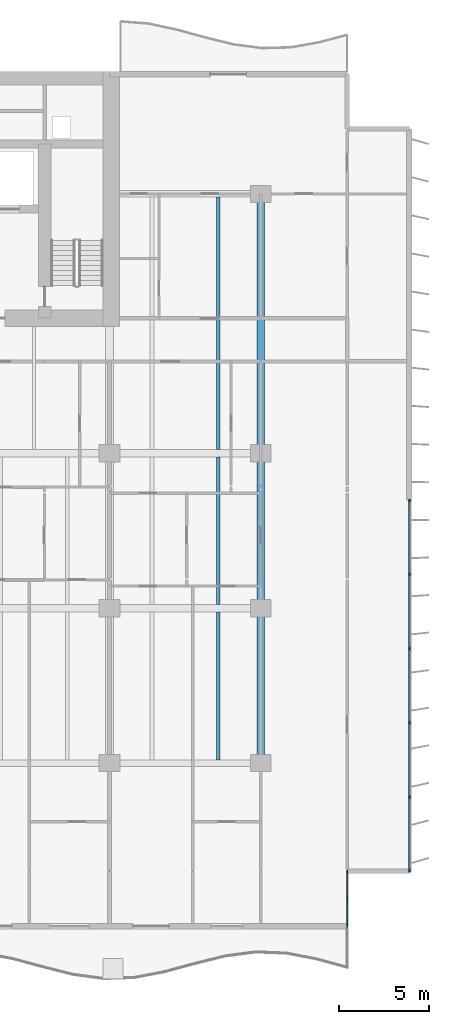
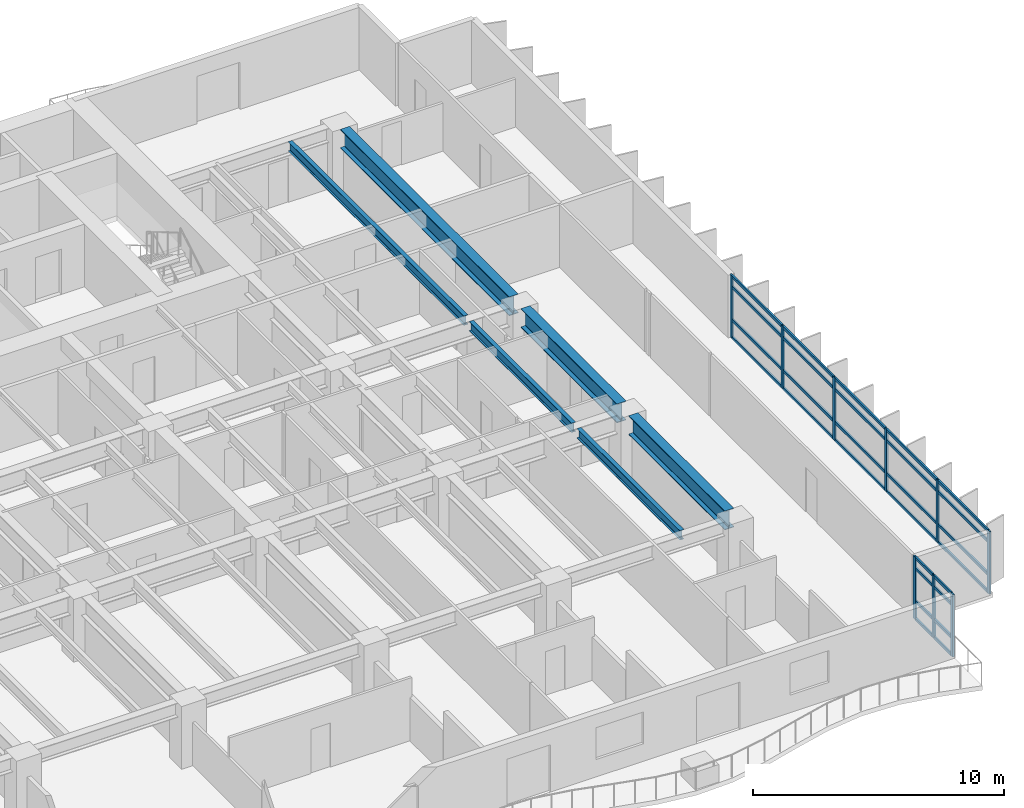
# One storey, part 4 of 17: 37 members, 6 beams, 2 elements without a shape of their own.
"""IFC4 building model written with IfcOpenShell, lengths in metres."""

from ifc_helpers import new_model, si_unit, direction, frame, origin, origin_2d, place, context, subcontext, project, spatial, rectangle, i_section, extrude, material, layer, layer_set, material_profile, profile_set, type_object, element, aggregate, save


model = new_model("IFC4")

# Units and contexts
model_context = context("Model", 3, precision=1e-05, world=origin(), true_north=direction((0.0, 1.0)))
body_context = subcontext(model_context, "Body", "Model", "MODEL_VIEW")
ifc_project = project(units=[si_unit("LENGTHUNIT", "METRE"), si_unit("AREAUNIT", "SQUARE_METRE"), si_unit("VOLUMEUNIT", "CUBIC_METRE"), si_unit("PLANEANGLEUNIT", "RADIAN"), si_unit("MASSUNIT", "GRAM", prefix="KILO")], contexts=[model_context])

# Site, building, storey
site_placement = place(None, origin())
site = spatial("IfcSite", under=ifc_project, at=site_placement, CompositionType="ELEMENT")
building_placement = place(site_placement, origin())
building = spatial("IfcBuilding", under=site, at=building_placement, Name="Caelmar Bay Residences", CompositionType="ELEMENT")
storey_placement = place(building_placement, frame((0.0, 0.0, 30.0)))
storey = spatial("IfcBuildingStorey", under=building, at=storey_placement, Name="L06", CompositionType="ELEMENT", Elevation=30.0)

# Beams
ifc_material_1 = material(Name="Steel ASTM A992 Grade 50", Category="steel")
ifc_material_profile_1 = material_profile(ifc_material_1, i_section(OverallWidth=0.422119140625, OverallDepth=0.925048828125, WebThickness=0.021240234375, FlangeThickness=0.03662109375, FilletRadius=0.020263671875, at=origin_2d()), Name="W36X262")
ifc_profile_set_1 = profile_set([ifc_material_profile_1], Name="Steel ASTM A992 Grade 50")
beam_type_1 = type_object("IfcBeamType", Name="BM-GRD-W36X262", PredefinedType="BEAM", material=ifc_profile_set_1)
beam_1_placement = place(storey_placement, frame((67.89990234375, 12.6650390625, 2.58740234375), z_axis=(0.0, 1.0, 0.0), x_axis=(-1.0, 0.0, 0.0)))
element("IfcBeam", 1, at=beam_1_placement, inside=storey, type_object=beam_type_1, Name="L06 North-South Girder X=67.90 (12.2-20.8)", PredefinedType="BEAM", context=body_context, shape_type="SweptSolid", body=[
    extrude(i_section(OverallWidth=0.422119140625, OverallDepth=0.925048828125, WebThickness=0.021240234375, FlangeThickness=0.03662109375, FilletRadius=0.020263671875, at=origin_2d()), origin(), (0.0, 0.0, 1.0), 7.669921875),
])
beam_2_placement = place(storey_placement, frame((67.89990234375, 21.264892578125, 2.58740234375), z_axis=(0.0, 1.0, 0.0), x_axis=(-1.0, 0.0, 0.0)))
element("IfcBeam", 2, at=beam_2_placement, inside=storey, type_object=beam_type_1, Name="L06 North-South Girder X=67.90 (20.8-29.4)", PredefinedType="BEAM", context=body_context, shape_type="SweptSolid", body=[
    extrude(i_section(OverallWidth=0.422119140625, OverallDepth=0.925048828125, WebThickness=0.021240234375, FlangeThickness=0.03662109375, FilletRadius=0.020263671875, at=origin_2d()), origin(), (0.0, 0.0, 1.0), 7.670166015625),
])
beam_3_placement = place(storey_placement, frame((67.89990234375, 29.864990234375, 2.58740234375), z_axis=(0.0, 1.0, 0.0), x_axis=(-1.0, 0.0, 0.0)))
element("IfcBeam", 3, at=beam_3_placement, inside=storey, type_object=beam_type_1, Name="L06 North-South Girder X=67.90 (29.4-43.8)", PredefinedType="BEAM", context=body_context, shape_type="SweptSolid", body=[
    extrude(i_section(OverallWidth=0.422119140625, OverallDepth=0.925048828125, WebThickness=0.021240234375, FlangeThickness=0.03662109375, FilletRadius=0.020263671875, at=origin_2d()), origin(), (0.0, 0.0, 1.0), 13.469970703125),
])
ifc_material_profile_2 = material_profile(ifc_material_1, i_section(OverallWidth=0.19091796875, OverallDepth=0.45703125, WebThickness=0.009033203125, FlangeThickness=0.014404296875, FilletRadius=0.01025390625, at=origin_2d()), Name="W18X50")
ifc_profile_set_2 = profile_set([ifc_material_profile_2], Name="Steel ASTM A992 Grade 50")
beam_type_2 = type_object("IfcBeamType", Name="BM-JST-W18X50", PredefinedType="JOIST", material=ifc_profile_set_2)
beam_4_placement = place(storey_placement, frame((65.548095703125, 12.3779296875, 2.821533203125), z_axis=(0.0, 1.0, 0.0), x_axis=(-1.0, 0.0, 0.0)))
element("IfcBeam", 4, at=beam_4_placement, inside=storey, type_object=beam_type_2, Name="L06 Composite Floor Joist 14", PredefinedType="JOIST", context=body_context, shape_type="SweptSolid", body=[
    extrude(i_section(OverallWidth=0.19091796875, OverallDepth=0.45703125, WebThickness=0.009033203125, FlangeThickness=0.014404296875, FilletRadius=0.01025390625, at=origin_2d()), origin(), (0.0, 0.0, 1.0), 8.211181640625),
])
beam_5_placement = place(storey_placement, frame((65.548095703125, 21.010986328125, 2.821533203125), z_axis=(0.0, 1.0, 0.0), x_axis=(-1.0, 0.0, 0.0)))
element("IfcBeam", 5, at=beam_5_placement, inside=storey, type_object=beam_type_2, Name="L06 Composite Floor Joist 28", PredefinedType="JOIST", context=body_context, shape_type="SweptSolid", body=[
    extrude(i_section(OverallWidth=0.19091796875, OverallDepth=0.45703125, WebThickness=0.009033203125, FlangeThickness=0.014404296875, FilletRadius=0.01025390625, at=origin_2d()), origin(), (0.0, 0.0, 1.0), 8.177978515625),
])
beam_6_placement = place(storey_placement, frame((65.548095703125, 29.611083984375, 2.821533203125), z_axis=(0.0, 1.0, 0.0), x_axis=(-1.0, 0.0, 0.0)))
element("IfcBeam", 6, at=beam_6_placement, inside=storey, type_object=beam_type_2, Name="L06 Composite Floor Joist 37", PredefinedType="JOIST", context=body_context, shape_type="SweptSolid", body=[
    extrude(i_section(OverallWidth=0.19091796875, OverallDepth=0.45703125, WebThickness=0.009033203125, FlangeThickness=0.014404296875, FilletRadius=0.01025390625, at=origin_2d()), origin(), (0.0, 0.0, 1.0), 14.010986328125),
])

# Curtain wall, members
ifc_material_2 = material(Name="Anodised bronze aluminium 6063-T6 and laminated glass", Category="aluminium")
ifc_layer_1 = layer(ifc_material_2, 0.179931640625)
ifc_layer_set_1 = layer_set([ifc_layer_1], Name="Anodised bronze aluminium 6063-T6 and laminated glass")
curtain_wall_type_1 = type_object("IfcCurtainWallType", Name="CW6-NTC", PredefinedType="NOTDEFINED", material=ifc_layer_set_1)
curtain_wall_1_placement = place(storey_placement, origin())
curtain_wall_1 = element("IfcCurtainWall", 7, at=curtain_wall_1_placement, inside=storey, type_object=curtain_wall_type_1, Name="CW6 curtain wall L06", PredefinedType="NOTDEFINED")
ifc_material_3 = material(Name="Anodised bronze aluminium 6063-T6", Category="aluminium")
ifc_material_profile_3 = material_profile(ifc_material_3, rectangle(XDim=0.080078125, YDim=0.179931640625, at=origin_2d()), Name="CWM-80X180")
ifc_profile_set_3 = profile_set([ifc_material_profile_3], Name="Anodised bronze aluminium 6063-T6")
member_type_1 = type_object("IfcMemberType", Name="CWM-180", PredefinedType="MULLION", material=ifc_profile_set_3)
member_1_placement = place(storey_placement, frame((72.699951171875, 3.18994140625, 0.0), z_axis=(0.0, 0.0, 1.0), x_axis=(-1.0, 0.0, 0.0)))
member_1 = element("IfcMember", 8, at=member_1_placement, type_object=member_type_1, Name="CW6 mullion 1", PredefinedType="MULLION", context=body_context, shape_type="SweptSolid", body=[
    extrude(rectangle(XDim=0.080078125, YDim=0.179931640625, at=origin_2d()), origin(), (0.0, 0.0, 1.0), 3.050048828125),
])
member_2_placement = place(storey_placement, frame((72.699951171875, 4.675048828125, 0.0), z_axis=(0.0, 0.0, 1.0), x_axis=(-1.0, 0.0, 0.0)))
member_2 = element("IfcMember", 9, at=member_2_placement, type_object=member_type_1, Name="CW6 mullion 2", PredefinedType="MULLION", context=body_context, shape_type="SweptSolid", body=[
    extrude(rectangle(XDim=0.080078125, YDim=0.179931640625, at=origin_2d()), origin(), (0.0, 0.0, 1.0), 3.050048828125),
])
member_3_placement = place(storey_placement, frame((72.699951171875, 6.159912109375, 0.0), z_axis=(0.0, 0.0, 1.0), x_axis=(-1.0, 0.0, 0.0)))
member_3 = element("IfcMember", 10, at=member_3_placement, type_object=member_type_1, Name="CW6 mullion 3", PredefinedType="MULLION", context=body_context, shape_type="SweptSolid", body=[
    extrude(rectangle(XDim=0.080078125, YDim=0.179931640625, at=origin_2d()), origin(), (0.0, 0.0, 1.0), 3.050048828125),
])

ifc_layer_2 = layer(ifc_material_2, 0.179931640625)
ifc_layer_set_2 = layer_set([ifc_layer_2], Name="Anodised bronze aluminium 6063-T6 and laminated glass")
curtain_wall_type_2 = type_object("IfcCurtainWallType", Name="CW2-Z1", PredefinedType="NOTDEFINED", material=ifc_layer_set_2)
curtain_wall_2_placement = place(storey_placement, origin())
curtain_wall_2 = element("IfcCurtainWall", 11, at=curtain_wall_2_placement, inside=storey, type_object=curtain_wall_type_2, Name="CW2 curtain wall L06", PredefinedType="NOTDEFINED")
member_4_placement = place(storey_placement, frame((76.14990234375, 26.760009765625, 0.0), z_axis=(0.0, 0.0, 1.0), x_axis=(1.0, 0.0, 0.0)))
member_4 = element("IfcMember", 12, at=member_4_placement, type_object=member_type_1, Name="CW2 mullion 1", PredefinedType="MULLION", context=body_context, shape_type="SweptSolid", body=[
    extrude(rectangle(XDim=0.080078125, YDim=0.179931640625, at=origin_2d()), origin(), (0.0, 0.0, 1.0), 3.050048828125),
])
member_5_placement = place(storey_placement, frame((76.14990234375, 22.679931640625, 0.0), z_axis=(0.0, 0.0, 1.0), x_axis=(1.0, 0.0, 0.0)))
member_5 = element("IfcMember", 13, at=member_5_placement, type_object=member_type_1, Name="CW2 mullion 2", PredefinedType="MULLION", context=body_context, shape_type="SweptSolid", body=[
    extrude(rectangle(XDim=0.080078125, YDim=0.179931640625, at=origin_2d()), origin(), (0.0, 0.0, 1.0), 3.050048828125),
])
member_6_placement = place(storey_placement, frame((76.14990234375, 18.56005859375, 0.0), z_axis=(0.0, 0.0, 1.0), x_axis=(1.0, 0.0, 0.0)))
member_6 = element("IfcMember", 14, at=member_6_placement, type_object=member_type_1, Name="CW2 mullion 3", PredefinedType="MULLION", context=body_context, shape_type="SweptSolid", body=[
    extrude(rectangle(XDim=0.080078125, YDim=0.179931640625, at=origin_2d()), origin(), (0.0, 0.0, 1.0), 3.050048828125),
])
member_7_placement = place(storey_placement, frame((76.14990234375, 14.43994140625, 0.0), z_axis=(0.0, 0.0, 1.0), x_axis=(1.0, 0.0, 0.0)))
member_7 = element("IfcMember", 15, at=member_7_placement, type_object=member_type_1, Name="CW2 mullion 4", PredefinedType="MULLION", context=body_context, shape_type="SweptSolid", body=[
    extrude(rectangle(XDim=0.080078125, YDim=0.179931640625, at=origin_2d()), origin(), (0.0, 0.0, 1.0), 3.050048828125),
])
member_8_placement = place(storey_placement, frame((76.14990234375, 10.320068359375, 0.0), z_axis=(0.0, 0.0, 1.0), x_axis=(1.0, 0.0, 0.0)))
member_8 = element("IfcMember", 16, at=member_8_placement, type_object=member_type_1, Name="CW2 mullion 5", PredefinedType="MULLION", context=body_context, shape_type="SweptSolid", body=[
    extrude(rectangle(XDim=0.080078125, YDim=0.179931640625, at=origin_2d()), origin(), (0.0, 0.0, 1.0), 3.050048828125),
])
member_9_placement = place(storey_placement, frame((76.14990234375, 6.239990234375, 0.0), z_axis=(0.0, 0.0, 1.0), x_axis=(1.0, 0.0, 0.0)))
member_9 = element("IfcMember", 17, at=member_9_placement, type_object=member_type_1, Name="CW2 mullion 6", PredefinedType="MULLION", context=body_context, shape_type="SweptSolid", body=[
    extrude(rectangle(XDim=0.080078125, YDim=0.179931640625, at=origin_2d()), origin(), (0.0, 0.0, 1.0), 3.050048828125),
])

# Member
ifc_material_profile_4 = material_profile(ifc_material_3, rectangle(XDim=0.080078125, YDim=0.139892578125, at=origin_2d()), Name="CWT-80X140")
ifc_profile_set_4 = profile_set([ifc_material_profile_4], Name="Anodised bronze aluminium 6063-T6")
member_type_2 = type_object("IfcMemberType", Name="CWT-140", PredefinedType="NOTDEFINED", material=ifc_profile_set_4)
member_10_placement = place(storey_placement, frame((72.699951171875, 3.22998046875, 0.0400390625), z_axis=(0.0, 1.0, 0.0), x_axis=(-1.0, 0.0, 0.0)))
member_10 = element("IfcMember", 18, at=member_10_placement, type_object=member_type_2, Name="CW6 transom 1.1", ObjectType="TRANSOM", PredefinedType="USERDEFINED", context=body_context, shape_type="SweptSolid", body=[
    extrude(rectangle(XDim=0.080078125, YDim=0.139892578125, at=origin_2d()), origin(), (0.0, 0.0, 1.0), 1.405029296875),
])

member_11_placement = place(storey_placement, frame((72.699951171875, 3.22998046875, 0.89990234375), z_axis=(0.0, 1.0, 0.0), x_axis=(-1.0, 0.0, 0.0)))
member_11 = element("IfcMember", 19, at=member_11_placement, type_object=member_type_2, Name="CW6 transom 1.2", ObjectType="TRANSOM", PredefinedType="USERDEFINED", context=body_context, shape_type="SweptSolid", body=[
    extrude(rectangle(XDim=0.080078125, YDim=0.139892578125, at=origin_2d()), origin(), (0.0, 0.0, 1.0), 1.405029296875),
])

member_12_placement = place(storey_placement, frame((72.699951171875, 3.22998046875, 2.5), z_axis=(0.0, 1.0, 0.0), x_axis=(-1.0, 0.0, 0.0)))
member_12 = element("IfcMember", 20, at=member_12_placement, type_object=member_type_2, Name="CW6 transom 1.3", ObjectType="TRANSOM", PredefinedType="USERDEFINED", context=body_context, shape_type="SweptSolid", body=[
    extrude(rectangle(XDim=0.080078125, YDim=0.139892578125, at=origin_2d()), origin(), (0.0, 0.0, 1.0), 1.405029296875),
])

member_13_placement = place(storey_placement, frame((72.699951171875, 3.22998046875, 3.010009765625), z_axis=(0.0, 1.0, 0.0), x_axis=(-1.0, 0.0, 0.0)))
member_13 = element("IfcMember", 21, at=member_13_placement, type_object=member_type_2, Name="CW6 transom 1.4", ObjectType="TRANSOM", PredefinedType="USERDEFINED", context=body_context, shape_type="SweptSolid", body=[
    extrude(rectangle(XDim=0.080078125, YDim=0.139892578125, at=origin_2d()), origin(), (0.0, 0.0, 1.0), 1.405029296875),
])

member_14_placement = place(storey_placement, frame((72.699951171875, 4.715087890625, 0.0400390625), z_axis=(0.0, 1.0, 0.0), x_axis=(-1.0, 0.0, 0.0)))
member_14 = element("IfcMember", 22, at=member_14_placement, type_object=member_type_2, Name="CW6 transom 2.1", ObjectType="TRANSOM", PredefinedType="USERDEFINED", context=body_context, shape_type="SweptSolid", body=[
    extrude(rectangle(XDim=0.080078125, YDim=0.139892578125, at=origin_2d()), origin(), (0.0, 0.0, 1.0), 1.405029296875),
])

member_15_placement = place(storey_placement, frame((72.699951171875, 4.715087890625, 0.89990234375), z_axis=(0.0, 1.0, 0.0), x_axis=(-1.0, 0.0, 0.0)))
member_15 = element("IfcMember", 23, at=member_15_placement, type_object=member_type_2, Name="CW6 transom 2.2", ObjectType="TRANSOM", PredefinedType="USERDEFINED", context=body_context, shape_type="SweptSolid", body=[
    extrude(rectangle(XDim=0.080078125, YDim=0.139892578125, at=origin_2d()), origin(), (0.0, 0.0, 1.0), 1.405029296875),
])

member_16_placement = place(storey_placement, frame((72.699951171875, 4.715087890625, 2.5), z_axis=(0.0, 1.0, 0.0), x_axis=(-1.0, 0.0, 0.0)))
member_16 = element("IfcMember", 24, at=member_16_placement, type_object=member_type_2, Name="CW6 transom 2.3", ObjectType="TRANSOM", PredefinedType="USERDEFINED", context=body_context, shape_type="SweptSolid", body=[
    extrude(rectangle(XDim=0.080078125, YDim=0.139892578125, at=origin_2d()), origin(), (0.0, 0.0, 1.0), 1.405029296875),
])

member_17_placement = place(storey_placement, frame((72.699951171875, 4.715087890625, 3.010009765625), z_axis=(0.0, 1.0, 0.0), x_axis=(-1.0, 0.0, 0.0)))
member_17 = element("IfcMember", 25, at=member_17_placement, type_object=member_type_2, Name="CW6 transom 2.4", ObjectType="TRANSOM", PredefinedType="USERDEFINED", context=body_context, shape_type="SweptSolid", body=[
    extrude(rectangle(XDim=0.080078125, YDim=0.139892578125, at=origin_2d()), origin(), (0.0, 0.0, 1.0), 1.405029296875),
])

aggregate(curtain_wall_1, [member_1, member_2, member_3, member_10, member_11, member_12, member_13, member_14, member_15, member_16, member_17])

member_18_placement = place(storey_placement, frame((76.14990234375, 26.719970703125, 0.0400390625), z_axis=(0.0, -1.0, 0.0), x_axis=(1.0, 0.0, 0.0)))
member_18 = element("IfcMember", 26, at=member_18_placement, type_object=member_type_2, Name="CW2 transom 1.1", ObjectType="TRANSOM", PredefinedType="USERDEFINED", context=body_context, shape_type="SweptSolid", body=[
    extrude(rectangle(XDim=0.080078125, YDim=0.139892578125, at=origin_2d()), origin(), (0.0, 0.0, 1.0), 4.0),
])

member_19_placement = place(storey_placement, frame((76.14990234375, 26.719970703125, 0.89990234375), z_axis=(0.0, -1.0, 0.0), x_axis=(1.0, 0.0, 0.0)))
member_19 = element("IfcMember", 27, at=member_19_placement, type_object=member_type_2, Name="CW2 transom 1.2", ObjectType="TRANSOM", PredefinedType="USERDEFINED", context=body_context, shape_type="SweptSolid", body=[
    extrude(rectangle(XDim=0.080078125, YDim=0.139892578125, at=origin_2d()), origin(), (0.0, 0.0, 1.0), 4.0),
])

member_20_placement = place(storey_placement, frame((76.14990234375, 26.719970703125, 2.5), z_axis=(0.0, -1.0, 0.0), x_axis=(1.0, 0.0, 0.0)))
member_20 = element("IfcMember", 28, at=member_20_placement, type_object=member_type_2, Name="CW2 transom 1.3", ObjectType="TRANSOM", PredefinedType="USERDEFINED", context=body_context, shape_type="SweptSolid", body=[
    extrude(rectangle(XDim=0.080078125, YDim=0.139892578125, at=origin_2d()), origin(), (0.0, 0.0, 1.0), 4.0),
])

member_21_placement = place(storey_placement, frame((76.14990234375, 26.719970703125, 3.010009765625), z_axis=(0.0, -1.0, 0.0), x_axis=(1.0, 0.0, 0.0)))
member_21 = element("IfcMember", 29, at=member_21_placement, type_object=member_type_2, Name="CW2 transom 1.4", ObjectType="TRANSOM", PredefinedType="USERDEFINED", context=body_context, shape_type="SweptSolid", body=[
    extrude(rectangle(XDim=0.080078125, YDim=0.139892578125, at=origin_2d()), origin(), (0.0, 0.0, 1.0), 4.0),
])

member_22_placement = place(storey_placement, frame((76.14990234375, 22.639892578125, 0.0400390625), z_axis=(0.0, -1.0, 0.0), x_axis=(1.0, 0.0, 0.0)))
member_22 = element("IfcMember", 30, at=member_22_placement, type_object=member_type_2, Name="CW2 transom 2.1", ObjectType="TRANSOM", PredefinedType="USERDEFINED", context=body_context, shape_type="SweptSolid", body=[
    extrude(rectangle(XDim=0.080078125, YDim=0.139892578125, at=origin_2d()), origin(), (0.0, 0.0, 1.0), 4.039794921875),
])

member_23_placement = place(storey_placement, frame((76.14990234375, 22.639892578125, 0.89990234375), z_axis=(0.0, -1.0, 0.0), x_axis=(1.0, 0.0, 0.0)))
member_23 = element("IfcMember", 31, at=member_23_placement, type_object=member_type_2, Name="CW2 transom 2.2", ObjectType="TRANSOM", PredefinedType="USERDEFINED", context=body_context, shape_type="SweptSolid", body=[
    extrude(rectangle(XDim=0.080078125, YDim=0.139892578125, at=origin_2d()), origin(), (0.0, 0.0, 1.0), 4.039794921875),
])

member_24_placement = place(storey_placement, frame((76.14990234375, 22.639892578125, 2.5), z_axis=(0.0, -1.0, 0.0), x_axis=(1.0, 0.0, 0.0)))
member_24 = element("IfcMember", 32, at=member_24_placement, type_object=member_type_2, Name="CW2 transom 2.3", ObjectType="TRANSOM", PredefinedType="USERDEFINED", context=body_context, shape_type="SweptSolid", body=[
    extrude(rectangle(XDim=0.080078125, YDim=0.139892578125, at=origin_2d()), origin(), (0.0, 0.0, 1.0), 4.039794921875),
])

member_25_placement = place(storey_placement, frame((76.14990234375, 22.639892578125, 3.010009765625), z_axis=(0.0, -1.0, 0.0), x_axis=(1.0, 0.0, 0.0)))
member_25 = element("IfcMember", 33, at=member_25_placement, type_object=member_type_2, Name="CW2 transom 2.4", ObjectType="TRANSOM", PredefinedType="USERDEFINED", context=body_context, shape_type="SweptSolid", body=[
    extrude(rectangle(XDim=0.080078125, YDim=0.139892578125, at=origin_2d()), origin(), (0.0, 0.0, 1.0), 4.039794921875),
])

member_26_placement = place(storey_placement, frame((76.14990234375, 18.52001953125, 0.0400390625), z_axis=(0.0, -1.0, 0.0), x_axis=(1.0, 0.0, 0.0)))
member_26 = element("IfcMember", 34, at=member_26_placement, type_object=member_type_2, Name="CW2 transom 3.1", ObjectType="TRANSOM", PredefinedType="USERDEFINED", context=body_context, shape_type="SweptSolid", body=[
    extrude(rectangle(XDim=0.080078125, YDim=0.139892578125, at=origin_2d()), origin(), (0.0, 0.0, 1.0), 4.0400390625),
])

member_27_placement = place(storey_placement, frame((76.14990234375, 18.52001953125, 0.89990234375), z_axis=(0.0, -1.0, 0.0), x_axis=(1.0, 0.0, 0.0)))
member_27 = element("IfcMember", 35, at=member_27_placement, type_object=member_type_2, Name="CW2 transom 3.2", ObjectType="TRANSOM", PredefinedType="USERDEFINED", context=body_context, shape_type="SweptSolid", body=[
    extrude(rectangle(XDim=0.080078125, YDim=0.139892578125, at=origin_2d()), origin(), (0.0, 0.0, 1.0), 4.0400390625),
])

member_28_placement = place(storey_placement, frame((76.14990234375, 18.52001953125, 2.5), z_axis=(0.0, -1.0, 0.0), x_axis=(1.0, 0.0, 0.0)))
member_28 = element("IfcMember", 36, at=member_28_placement, type_object=member_type_2, Name="CW2 transom 3.3", ObjectType="TRANSOM", PredefinedType="USERDEFINED", context=body_context, shape_type="SweptSolid", body=[
    extrude(rectangle(XDim=0.080078125, YDim=0.139892578125, at=origin_2d()), origin(), (0.0, 0.0, 1.0), 4.0400390625),
])

member_29_placement = place(storey_placement, frame((76.14990234375, 18.52001953125, 3.010009765625), z_axis=(0.0, -1.0, 0.0), x_axis=(1.0, 0.0, 0.0)))
member_29 = element("IfcMember", 37, at=member_29_placement, type_object=member_type_2, Name="CW2 transom 3.4", ObjectType="TRANSOM", PredefinedType="USERDEFINED", context=body_context, shape_type="SweptSolid", body=[
    extrude(rectangle(XDim=0.080078125, YDim=0.139892578125, at=origin_2d()), origin(), (0.0, 0.0, 1.0), 4.0400390625),
])

member_30_placement = place(storey_placement, frame((76.14990234375, 14.39990234375, 0.0400390625), z_axis=(0.0, -1.0, 0.0), x_axis=(1.0, 0.0, 0.0)))
member_30 = element("IfcMember", 38, at=member_30_placement, type_object=member_type_2, Name="CW2 transom 4.1", ObjectType="TRANSOM", PredefinedType="USERDEFINED", context=body_context, shape_type="SweptSolid", body=[
    extrude(rectangle(XDim=0.080078125, YDim=0.139892578125, at=origin_2d()), origin(), (0.0, 0.0, 1.0), 4.039794921875),
])

member_31_placement = place(storey_placement, frame((76.14990234375, 14.39990234375, 0.89990234375), z_axis=(0.0, -1.0, 0.0), x_axis=(1.0, 0.0, 0.0)))
member_31 = element("IfcMember", 39, at=member_31_placement, type_object=member_type_2, Name="CW2 transom 4.2", ObjectType="TRANSOM", PredefinedType="USERDEFINED", context=body_context, shape_type="SweptSolid", body=[
    extrude(rectangle(XDim=0.080078125, YDim=0.139892578125, at=origin_2d()), origin(), (0.0, 0.0, 1.0), 4.039794921875),
])

member_32_placement = place(storey_placement, frame((76.14990234375, 14.39990234375, 2.5), z_axis=(0.0, -1.0, 0.0), x_axis=(1.0, 0.0, 0.0)))
member_32 = element("IfcMember", 40, at=member_32_placement, type_object=member_type_2, Name="CW2 transom 4.3", ObjectType="TRANSOM", PredefinedType="USERDEFINED", context=body_context, shape_type="SweptSolid", body=[
    extrude(rectangle(XDim=0.080078125, YDim=0.139892578125, at=origin_2d()), origin(), (0.0, 0.0, 1.0), 4.039794921875),
])

member_33_placement = place(storey_placement, frame((76.14990234375, 14.39990234375, 3.010009765625), z_axis=(0.0, -1.0, 0.0), x_axis=(1.0, 0.0, 0.0)))
member_33 = element("IfcMember", 41, at=member_33_placement, type_object=member_type_2, Name="CW2 transom 4.4", ObjectType="TRANSOM", PredefinedType="USERDEFINED", context=body_context, shape_type="SweptSolid", body=[
    extrude(rectangle(XDim=0.080078125, YDim=0.139892578125, at=origin_2d()), origin(), (0.0, 0.0, 1.0), 4.039794921875),
])

member_34_placement = place(storey_placement, frame((76.14990234375, 10.280029296875, 0.0400390625), z_axis=(0.0, -1.0, 0.0), x_axis=(1.0, 0.0, 0.0)))
member_34 = element("IfcMember", 42, at=member_34_placement, type_object=member_type_2, Name="CW2 transom 5.1", ObjectType="TRANSOM", PredefinedType="USERDEFINED", context=body_context, shape_type="SweptSolid", body=[
    extrude(rectangle(XDim=0.080078125, YDim=0.139892578125, at=origin_2d()), origin(), (0.0, 0.0, 1.0), 4.0),
])

member_35_placement = place(storey_placement, frame((76.14990234375, 10.280029296875, 0.89990234375), z_axis=(0.0, -1.0, 0.0), x_axis=(1.0, 0.0, 0.0)))
member_35 = element("IfcMember", 43, at=member_35_placement, type_object=member_type_2, Name="CW2 transom 5.2", ObjectType="TRANSOM", PredefinedType="USERDEFINED", context=body_context, shape_type="SweptSolid", body=[
    extrude(rectangle(XDim=0.080078125, YDim=0.139892578125, at=origin_2d()), origin(), (0.0, 0.0, 1.0), 4.0),
])

member_36_placement = place(storey_placement, frame((76.14990234375, 10.280029296875, 2.5), z_axis=(0.0, -1.0, 0.0), x_axis=(1.0, 0.0, 0.0)))
member_36 = element("IfcMember", 44, at=member_36_placement, type_object=member_type_2, Name="CW2 transom 5.3", ObjectType="TRANSOM", PredefinedType="USERDEFINED", context=body_context, shape_type="SweptSolid", body=[
    extrude(rectangle(XDim=0.080078125, YDim=0.139892578125, at=origin_2d()), origin(), (0.0, 0.0, 1.0), 4.0),
])

member_37_placement = place(storey_placement, frame((76.14990234375, 10.280029296875, 3.010009765625), z_axis=(0.0, -1.0, 0.0), x_axis=(1.0, 0.0, 0.0)))
member_37 = element("IfcMember", 45, at=member_37_placement, type_object=member_type_2, Name="CW2 transom 5.4", ObjectType="TRANSOM", PredefinedType="USERDEFINED", context=body_context, shape_type="SweptSolid", body=[
    extrude(rectangle(XDim=0.080078125, YDim=0.139892578125, at=origin_2d()), origin(), (0.0, 0.0, 1.0), 4.0),
])

aggregate(curtain_wall_2, [member_4, member_5, member_6, member_7, member_8, member_9, member_18, member_19, member_20, member_21, member_22, member_23, member_24, member_25, member_26, member_27, member_28, member_29, member_30, member_31, member_32, member_33, member_34, member_35, member_36, member_37])

save(model, "model.ifc")
